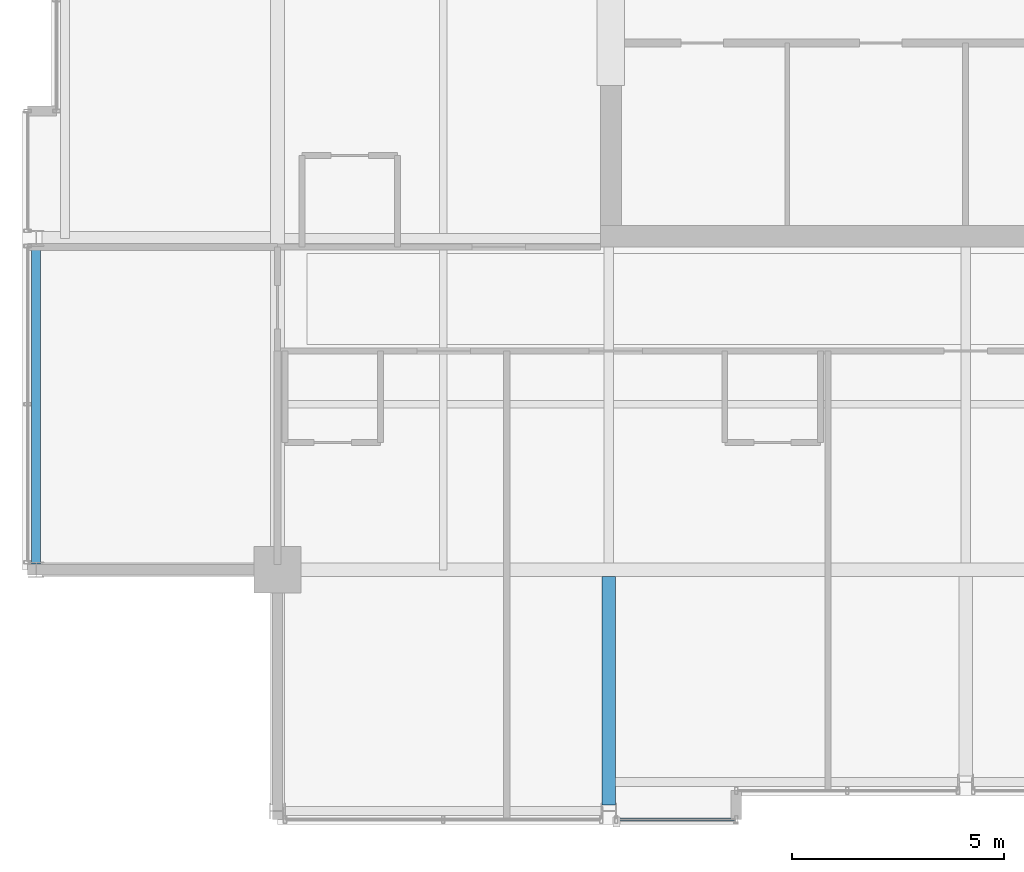
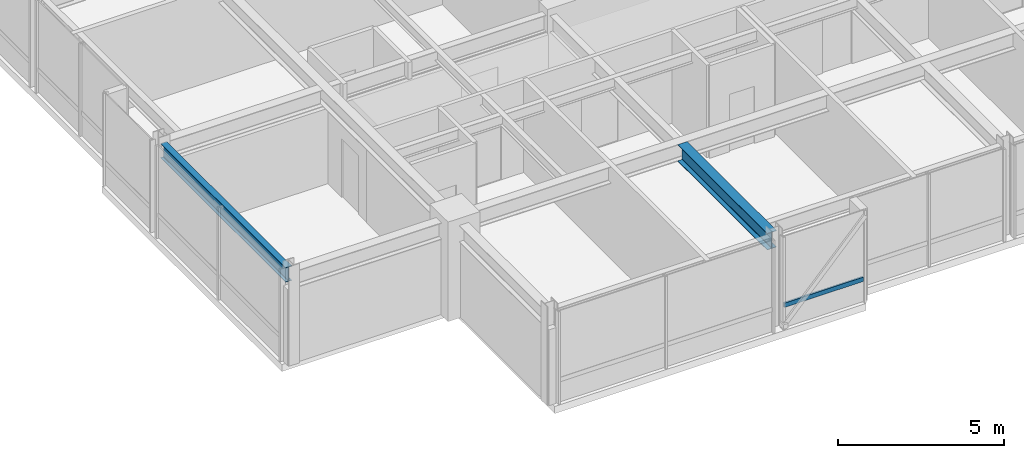
# One storey, part 4 of 33: 2 beams, 1 member, 1 element without a shape of its own.
"""IFC4 building model written with IfcOpenShell, lengths in metres."""

from ifc_helpers import new_model, si_unit, direction, frame, origin, origin_2d, place, context, subcontext, project, spatial, hollow_rectangle, i_section, extrude, material, layer, layer_set, material_profile, profile_set, type_object, element, aggregate, save


model = new_model("IFC4")

# Units and contexts
model_context = context("Model", 3, precision=1e-05, world=origin(), true_north=direction((0.0, 1.0)))
body_context = subcontext(model_context, "Body", "Model", "MODEL_VIEW")
ifc_project = project(units=[si_unit("LENGTHUNIT", "METRE"), si_unit("AREAUNIT", "SQUARE_METRE"), si_unit("VOLUMEUNIT", "CUBIC_METRE"), si_unit("PLANEANGLEUNIT", "RADIAN"), si_unit("MASSUNIT", "GRAM", prefix="KILO")], contexts=[model_context])

# Site, building, storey
site_placement = place(None, origin())
site = spatial("IfcSite", under=ifc_project, at=site_placement, CompositionType="ELEMENT")
building_placement = place(site_placement, origin())
building = spatial("IfcBuilding", under=site, at=building_placement, Name="Drelvath Grand Hotel", CompositionType="ELEMENT")
storey_placement = place(building_placement, frame((0.0, 0.0, 268.64990234375)))
storey = spatial("IfcBuildingStorey", under=building, at=storey_placement, Name="L70", CompositionType="ELEMENT", Elevation=268.64990234375)

# Curtain wall, member
ifc_material_1 = material(Name="Platinum-Mist Anodised Aluminium Frame", Category="aluminium")
ifc_layer = layer(ifc_material_1, 0.199951171875)
ifc_layer_set = layer_set([ifc_layer], Name="Platinum-Mist Anodised Aluminium Frame")
curtain_wall_type = type_object("IfcCurtainWallType", Name="Stick Curtain Wall CW-05 Platinum Mist High-Rise", PredefinedType="NOTDEFINED", material=ifc_layer_set)
curtain_wall_placement = place(storey_placement, origin())
curtain_wall = element("IfcCurtainWall", 1, at=curtain_wall_placement, inside=storey, type_object=curtain_wall_type, Name="L70 CW-05 Curtain Wall CW05-L70-SW2", PredefinedType="NOTDEFINED")
ifc_material_profile_1 = material_profile(ifc_material_1, hollow_rectangle(XDim=0.06494140625, YDim=0.159912109375, WallThickness=0.00390625, at=origin_2d()), Name="HSS160X65X4")
ifc_profile_set_1 = profile_set([ifc_material_profile_1], Name="Platinum-Mist Anodised Aluminium Frame")
member_type = type_object("IfcMemberType", Name="Curtain Wall Horizontal Transom CW-05 HSS160X65X4", PredefinedType="USERDEFINED", material=ifc_profile_set_1)
member_placement = place(storey_placement, frame((-5.43994140625, 4.919921875, 0.84765625), z_axis=(-1.0, 0.0, 0.0), x_axis=(0.0, -1.0, 0.0)))
member = element("IfcMember", 2, at=member_placement, type_object=member_type, Name="CW05-L70-SW2 Sill Transom", ObjectType="TRANSOM", PredefinedType="USERDEFINED", context=body_context, shape_type="SweptSolid", body=[
    extrude(hollow_rectangle(XDim=0.06494140625, YDim=0.159912109375, WallThickness=0.00390625, at=origin_2d()), origin(), (0.0, 0.0, 1.0), 2.741943359375),
])
aggregate(curtain_wall, [member])

# Beams
ifc_material_2 = material(Name="Steel ASTM A992 Gr 50", Category="steel")
ifc_material_profile_2 = material_profile(ifc_material_2, i_section(OverallWidth=0.210205078125, OverallDepth=0.53662109375, WebThickness=0.010986328125, FlangeThickness=0.017333984375, FilletRadius=0.01806640625, at=origin_2d()), Name="W21X68")
ifc_profile_set_2 = profile_set([ifc_material_profile_2], Name="Steel ASTM A992 Gr 50")
beam_type_1 = type_object("IfcBeamType", Name="Perimeter Spandrel Beam W21X68", PredefinedType="SPANDREL", material=ifc_profile_set_2)
beam_1_placement = place(storey_placement, frame((-21.8798828125, 10.93994140625, 3.121826171875), z_axis=(0.0, 1.0, 0.0), x_axis=(-1.0, 0.0, 0.0)))
element("IfcBeam", 3, at=beam_1_placement, inside=storey, type_object=beam_type_1, Name="L70 Spandrel West S", PredefinedType="SPANDREL", context=body_context, shape_type="SweptSolid", body=[
    extrude(i_section(OverallWidth=0.210205078125, OverallDepth=0.53662109375, WebThickness=0.010986328125, FlangeThickness=0.017333984375, FilletRadius=0.01806640625, at=origin_2d()), origin(), (0.0, 0.0, 1.0), 7.52001953125),
])
ifc_material_profile_3 = material_profile(ifc_material_2, i_section(OverallWidth=0.323974609375, OverallDepth=0.611083984375, WebThickness=0.0126953125, FlangeThickness=0.01904296875, FilletRadius=0.02197265625, at=origin_2d()), Name="W24X104")
ifc_profile_set_3 = profile_set([ifc_material_profile_3], Name="Steel ASTM A992 Gr 50")
beam_type_2 = type_object("IfcBeamType", Name="Primary Floor Girder W24X104", PredefinedType="BEAM", material=ifc_profile_set_3)
beam_2_placement = place(storey_placement, frame((-8.39990234375, 5.260009765625, 3.084716796875), z_axis=(0.0, 1.0, 0.0), x_axis=(-1.0, 0.0, 0.0)))
element("IfcBeam", 4, at=beam_2_placement, inside=storey, type_object=beam_type_2, Name="L70 South Wing Girder 4", PredefinedType="BEAM", context=body_context, shape_type="SweptSolid", body=[
    extrude(i_section(OverallWidth=0.323974609375, OverallDepth=0.611083984375, WebThickness=0.0126953125, FlangeThickness=0.01904296875, FilletRadius=0.02197265625, at=origin_2d()), origin(), (0.0, 0.0, 1.0), 5.3779296875),
])

save(model, "model.ifc")
